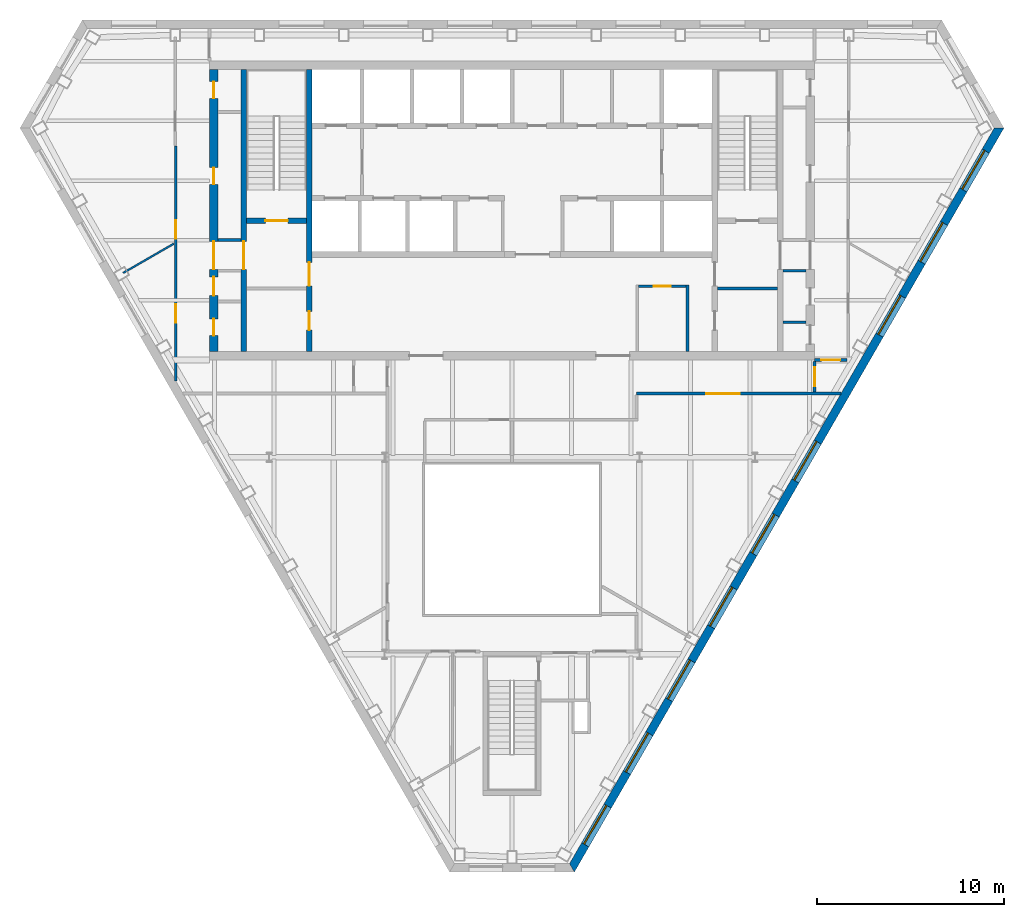
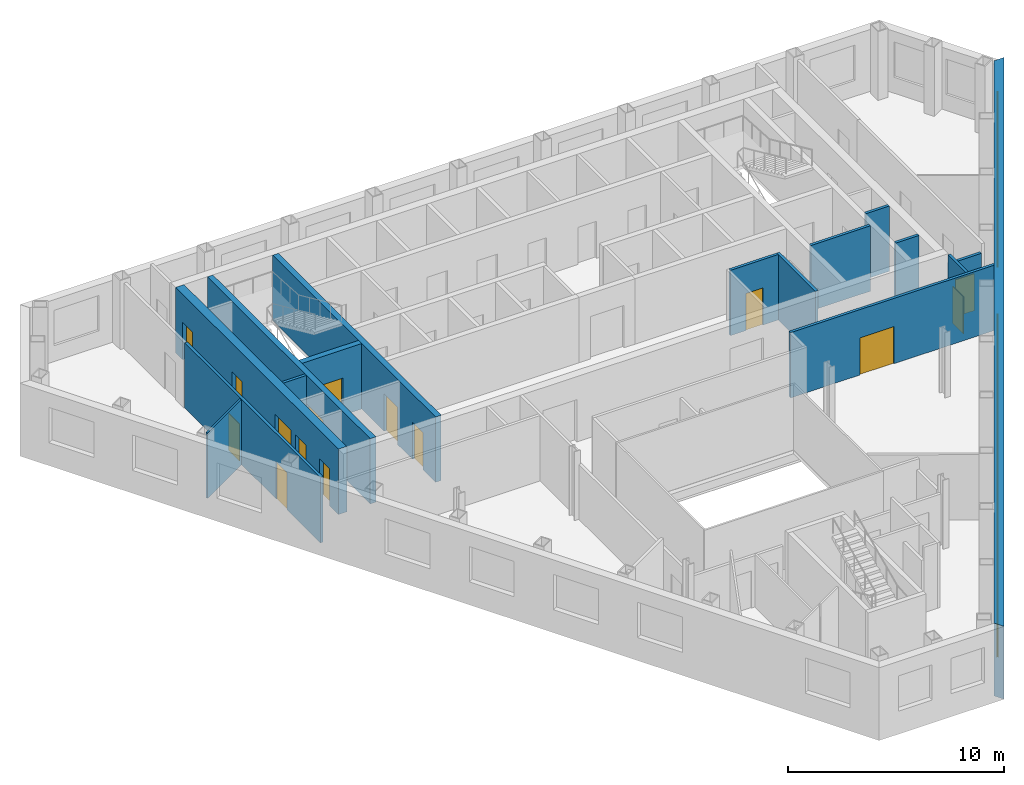
# One storey, part 5 of 10: 16 walls, 15 doors, 9 windows, 24 openings.
"""IFC4 building model written with IfcOpenShell, lengths in metres."""

from ifc_helpers import new_model, si_unit, direction, frame, frame_2d, origin, place, context, subcontext, project, spatial, polyline, rectangle, outline, extrude, material, layer, layer_set, type_object, element, fill, save


model = new_model("IFC4")

# Units and contexts
model_context = context("Model", 3, precision=1e-05, world=origin(), true_north=direction((0.0, 1.0)))
body_context = subcontext(model_context, "Body", "Model", "MODEL_VIEW")
ifc_project = project(units=[si_unit("LENGTHUNIT", "METRE"), si_unit("AREAUNIT", "SQUARE_METRE"), si_unit("VOLUMEUNIT", "CUBIC_METRE"), si_unit("PLANEANGLEUNIT", "RADIAN"), si_unit("MASSUNIT", "GRAM", prefix="KILO")], contexts=[model_context])

# Site, building, storey
site_placement = place(None, origin())
site = spatial("IfcSite", under=ifc_project, at=site_placement, CompositionType="ELEMENT")
building_placement = place(site_placement, origin())
building = spatial("IfcBuilding", under=site, at=building_placement, Name="Njiva Tower", CompositionType="ELEMENT")
storey_placement = place(building_placement, frame((0.0, 0.0, 235.5)))
storey = spatial("IfcBuildingStorey", under=building, at=storey_placement, Name="L53", CompositionType="ELEMENT", Elevation=235.5)

# Walls
ifc_material_1 = material(Name="Blockwork", Category="masonry")
ifc_layer_1 = layer(ifc_material_1, 0.15)
ifc_layer_set_1 = layer_set([ifc_layer_1], Name="Blockwork")
wall_type_1 = type_object("IfcWallType", Name="WT1 Compartment partition 150", PredefinedType="PARTITIONING", material=ifc_layer_set_1)
wall_1_placement = place(storey_placement, frame((11.0, 5.825, 0.0), z_axis=(0.0, 0.0, 1.0), x_axis=(1.0, 0.0, 0.0)))
element("IfcWall", 1, at=wall_1_placement, inside=storey, type_object=wall_type_1, Name="Room wall B", PredefinedType="PARTITIONING", context=body_context, shape_type="SweptSolid", body=[
    extrude(rectangle(XDim=3.2, YDim=0.15, at=frame_2d((1.6, 0.0))), origin(), (0.0, 0.0, 1.0), 3.7),
])
wall_2_placement = place(storey_placement, frame((14.5, 4.025, 0.0), z_axis=(0.0, 0.0, 1.0), x_axis=(1.0, 0.0, 0.0)))
element("IfcWall", 2, at=wall_2_placement, inside=storey, type_object=wall_type_1, Name="Partition strip E00", PredefinedType="PARTITIONING", context=body_context, shape_type="SweptSolid", body=[
    extrude(rectangle(XDim=1.25, YDim=0.15, at=frame_2d((0.625, 0.0))), origin(), (0.0, 0.0, 1.0), 3.7),
])
wall_3_placement = place(storey_placement, frame((9.4, 2.45, 0.0), z_axis=(0.0, 0.0, 1.0), x_axis=(0.0, 1.0, 0.0)))
element("IfcWall", 3, at=wall_3_placement, inside=storey, type_object=wall_type_1, Name="Security office wall east", PredefinedType="PARTITIONING", context=body_context, shape_type="SweptSolid", body=[
    extrude(rectangle(XDim=3.575, YDim=0.15, at=frame_2d((1.7875, 0.0))), origin(), (0.0, 0.0, 1.0), 3.7),
])

# Wall, opening, door
wall_4_placement = place(storey_placement, frame((6.775, 5.95, 0.0), z_axis=(0.0, 0.0, 1.0), x_axis=(1.0, 0.0, 0.0)))
wall_4 = element("IfcWall", 4, at=wall_4_placement, inside=storey, type_object=wall_type_1, Name="Security office wall north", PredefinedType="PARTITIONING", context=body_context, shape_type="SweptSolid", body=[
    extrude(rectangle(XDim=2.55, YDim=0.15, at=frame_2d((1.275, 0.0))), origin(), (0.0, 0.0, 1.0), 3.7),
])
opening_1_placement = place(wall_4_placement, frame((0.825, 0.0, 0.0)))
opening_1 = element("IfcOpeningElement", 5, at=opening_1_placement, cuts=wall_4, Name="Opening S17-D934", PredefinedType="OPENING", context=body_context, shape_type="SweptSolid", body=[
    extrude(rectangle(XDim=0.9, YDim=2.1, at=frame_2d((0.45, 1.05))), frame((0.0, 0.085, 0.0), z_axis=(0.0, -1.0, 0.0), x_axis=(1.0, 0.0, 0.0)), (0.0, 0.0, 1.0), 0.17),
])
ifc_material_2 = material(Name="Steel fire door, painted", Category="steel")
door_type_1 = type_object("IfcDoorType", Name="D6 Fire-rated door 900x2100", OperationType="SINGLE_SWING_LEFT", PredefinedType="DOOR", material=ifc_material_2)
door_1_placement = place(opening_1_placement, origin())
door_1 = element("IfcDoor", 6, at=door_1_placement, inside=storey, type_object=door_type_1, Name="Security office door", OperationType="SINGLE_SWING_RIGHT", OverallHeight=2.1, OverallWidth=0.9, PredefinedType="DOOR", context=body_context, shape_type="SweptSolid", body=[
    extrude(rectangle(XDim=0.9, YDim=2.1, at=frame_2d((0.45, 1.05))), frame((0.0, 0.025, 0.0), z_axis=(0.0, -1.0, 0.0), x_axis=(1.0, 0.0, 0.0)), (0.0, 0.0, 1.0), 0.05),
])
fill(opening_1, door_1)

# Wall, openings, doors
ifc_material_3 = material(Name="Concrete C40/50", Category="concrete")
ifc_layer_2 = layer(ifc_material_3, 0.3)
ifc_layer_set_2 = layer_set([ifc_layer_2], Name="Concrete C40/50")
wall_type_2 = type_object("IfcWallType", Name="WT10 Stair enclosure wall 300", PredefinedType="SHEAR", material=ifc_layer_set_2)
wall_5_placement = place(storey_placement, frame((-10.85, 2.45, 0.0), z_axis=(0.0, 0.0, 1.0), x_axis=(0.0, 1.0, 0.0)))
wall_5 = element("IfcWall", 7, at=wall_5_placement, inside=storey, type_object=wall_type_2, Name="Stair wall west inner", PredefinedType="SHEAR", context=body_context, shape_type="SweptSolid", body=[
    extrude(rectangle(XDim=15.1, YDim=0.3, at=frame_2d((7.55, 0.0))), origin(), (0.0, 0.0, 1.0), 3.7),
])
opening_2_placement = place(wall_5_placement, frame((3.525, 0.0, 0.0)))
opening_2 = element("IfcOpeningElement", 8, at=opening_2_placement, cuts=wall_5, Name="Opening S17-D916", PredefinedType="OPENING", context=body_context, shape_type="SweptSolid", body=[
    extrude(rectangle(XDim=1.25, YDim=2.1, at=frame_2d((0.625, 1.05))), frame((0.0, 0.16, 0.0), z_axis=(0.0, -1.0, 0.0), x_axis=(1.0, 0.0, 0.0)), (0.0, 0.0, 1.0), 0.32),
])
opening_3_placement = place(wall_5_placement, frame((1.15, 0.0, 0.0)))
opening_3 = element("IfcOpeningElement", 9, at=opening_3_placement, cuts=wall_5, Name="Opening S17-D917", PredefinedType="OPENING", context=body_context, shape_type="SweptSolid", body=[
    extrude(rectangle(XDim=1.0, YDim=2.1, at=frame_2d((0.5, 1.05))), frame((0.0, 0.16, 0.0), z_axis=(0.0, -1.0, 0.0), x_axis=(1.0, 0.0, 0.0)), (0.0, 0.0, 1.0), 0.32),
])
ifc_material_4 = material(Name="Steel door, painted", Category="steel")
door_type_2 = type_object("IfcDoorType", Name="D5 Steel door 1000x2100", OperationType="SINGLE_SWING_LEFT", PredefinedType="DOOR", material=ifc_material_4)
door_2_placement = place(opening_3_placement, origin())
door_2 = element("IfcDoor", 10, at=door_2_placement, inside=storey, type_object=door_type_2, Name="Business centre door", OperationType="SINGLE_SWING_RIGHT", OverallHeight=2.1, OverallWidth=1.0, PredefinedType="DOOR", context=body_context, shape_type="SweptSolid", body=[
    extrude(rectangle(XDim=1.0, YDim=2.1, at=frame_2d((0.5, 1.05))), frame((0.0, 0.025, 0.0), z_axis=(0.0, -1.0, 0.0), x_axis=(1.0, 0.0, 0.0)), (0.0, 0.0, 1.0), 0.05),
])
fill(opening_3, door_2)
ifc_material_5 = material(Name="Glazed steel fire door", Category="steel")
door_type_3 = type_object("IfcDoorType", Name="D8 Vestibule corridor door 1250x2100 glazed", OperationType="SINGLE_SWING_LEFT", PredefinedType="DOOR", material=ifc_material_5)
door_3_placement = place(opening_2_placement, origin())
door_3 = element("IfcDoor", 11, at=door_3_placement, inside=storey, type_object=door_type_3, Name="Stair vestibule corridor door", OperationType="SINGLE_SWING_LEFT", OverallHeight=2.1, OverallWidth=1.25, PredefinedType="DOOR", context=body_context, shape_type="SweptSolid", body=[
    extrude(rectangle(XDim=1.25, YDim=2.1, at=frame_2d((0.625, 1.05))), frame((0.0, 0.025, 0.0), z_axis=(0.0, -1.0, 0.0), x_axis=(1.0, 0.0, 0.0)), (0.0, 0.0, 1.0), 0.05),
])
fill(opening_2, door_3)

# Wall, opening, door
wall_6_placement = place(storey_placement, frame((-14.35, 2.45, 0.0), z_axis=(0.0, 0.0, 1.0), x_axis=(0.0, 1.0, 0.0)))
wall_6 = element("IfcWall", 12, at=wall_6_placement, inside=storey, type_object=wall_type_2, Name="Stair wall west outer", PredefinedType="SHEAR", context=body_context, shape_type="SweptSolid", body=[
    extrude(rectangle(XDim=15.1, YDim=0.3, at=frame_2d((7.55, 0.0))), origin(), (0.0, 0.0, 1.0), 3.7),
])
opening_4_placement = place(wall_6_placement, frame((4.4, 0.0, 0.0)))
opening_4 = element("IfcOpeningElement", 13, at=opening_4_placement, cuts=wall_6, Name="Opening S17-D922", PredefinedType="OPENING", context=body_context, shape_type="SweptSolid", body=[
    extrude(rectangle(XDim=1.5, YDim=2.1, at=frame_2d((0.75, 1.05))), frame((0.0, 0.16, 0.0), z_axis=(0.0, -1.0, 0.0), x_axis=(1.0, 0.0, 0.0)), (0.0, 0.0, 1.0), 0.32),
])
door_type_4 = type_object("IfcDoorType", Name="D10 Exit door double 1500x2100 glazed", OperationType="DOUBLE_DOOR_SINGLE_SWING", PredefinedType="DOOR", material=ifc_material_5)
door_4_placement = place(opening_4_placement, origin())
door_4 = element("IfcDoor", 14, at=door_4_placement, inside=storey, type_object=door_type_4, Name="Stair A passage door", OperationType="DOUBLE_DOOR_SINGLE_SWING", OverallHeight=2.1, OverallWidth=1.5, PredefinedType="DOOR", context=body_context, shape_type="SweptSolid", body=[
    extrude(rectangle(XDim=1.5, YDim=2.1, at=frame_2d((0.75, 1.05))), frame((0.0, 0.025, 0.0), z_axis=(0.0, -1.0, 0.0), x_axis=(1.0, 0.0, 0.0)), (0.0, 0.0, 1.0), 0.05),
])
fill(opening_4, door_4)

wall_7_placement = place(storey_placement, frame((-14.2, 9.45, 0.0), z_axis=(0.0, 0.0, 1.0), x_axis=(1.0, 0.0, 0.0)))
wall_7 = element("IfcWall", 15, at=wall_7_placement, inside=storey, type_object=wall_type_2, Name="Stair A south wall", PredefinedType="SHEAR", context=body_context, shape_type="SweptSolid", body=[
    extrude(rectangle(XDim=3.2, YDim=0.3, at=frame_2d((1.6, 0.0))), origin(), (0.0, 0.0, 1.0), 3.7),
])
opening_5_placement = place(wall_7_placement, frame((1.0, 0.0, 0.0)))
opening_5 = element("IfcOpeningElement", 16, at=opening_5_placement, cuts=wall_7, Name="Opening S17-D915", PredefinedType="OPENING", context=body_context, shape_type="SweptSolid", body=[
    extrude(rectangle(XDim=1.2, YDim=2.1, at=frame_2d((0.6, 1.05))), frame((0.0, 0.16, 0.0), z_axis=(0.0, -1.0, 0.0), x_axis=(1.0, 0.0, 0.0)), (0.0, 0.0, 1.0), 0.32),
])
door_type_5 = type_object("IfcDoorType", Name="D7 Stair vestibule door 1200x2100 glazed", OperationType="SINGLE_SWING_LEFT", PredefinedType="DOOR", material=ifc_material_5)
door_5_placement = place(opening_5_placement, origin())
door_5 = element("IfcDoor", 17, at=door_5_placement, inside=storey, type_object=door_type_5, Name="Stair A door", OperationType="SINGLE_SWING_LEFT", OverallHeight=2.1, OverallWidth=1.2, PredefinedType="DOOR", context=body_context, shape_type="SweptSolid", body=[
    extrude(rectangle(XDim=1.2, YDim=2.1, at=frame_2d((0.6, 1.05))), frame((0.0, 0.025, 0.0), z_axis=(0.0, -1.0, 0.0), x_axis=(1.0, 0.0, 0.0)), (0.0, 0.0, 1.0), 0.05),
])
fill(opening_5, door_5)

# Wall, openings, doors
ifc_material_6 = material(Name="Concrete C60/75", Category="concrete")
ifc_layer_3 = layer(ifc_material_6, 0.45)
ifc_layer_set_3 = layer_set([ifc_layer_3], Name="Concrete C60/75")
wall_type_3 = type_object("IfcWallType", Name="WT12 Core wall 450", PredefinedType="SHEAR", material=ifc_layer_set_3)
wall_8_placement = place(storey_placement, frame((-15.975, 2.45, 0.0), z_axis=(0.0, 0.0, 1.0), x_axis=(0.0, 1.0, 0.0)))
wall_8 = element("IfcWall", 18, at=wall_8_placement, inside=storey, type_object=wall_type_3, Name="Core wall west", PredefinedType="SHEAR", context=body_context, shape_type="SweptSolid", body=[
    extrude(rectangle(XDim=15.1, YDim=0.45, at=frame_2d((7.55, 0.0))), origin(), (0.0, 0.0, 1.0), 3.7),
])
opening_6_placement = place(wall_8_placement, frame((4.4, 0.0, 0.0)))
opening_6 = element("IfcOpeningElement", 19, at=opening_6_placement, cuts=wall_8, Name="Opening S17-D923", PredefinedType="OPENING", context=body_context, shape_type="SweptSolid", body=[
    extrude(rectangle(XDim=1.5, YDim=2.1, at=frame_2d((0.75, 1.05))), frame((0.0, 0.235, 0.0), z_axis=(0.0, -1.0, 0.0), x_axis=(1.0, 0.0, 0.0)), (0.0, 0.0, 1.0), 0.47),
])
opening_7_placement = place(wall_8_placement, frame((0.85, 0.0, 0.0)))
opening_7 = element("IfcOpeningElement", 20, at=opening_7_placement, cuts=wall_8, Name="Opening S17-D924", PredefinedType="OPENING", context=body_context, shape_type="SweptSolid", body=[
    extrude(rectangle(XDim=0.9, YDim=2.1, at=frame_2d((0.45, 1.05))), frame((0.0, 0.235, 0.0), z_axis=(0.0, -1.0, 0.0), x_axis=(1.0, 0.0, 0.0)), (0.0, 0.0, 1.0), 0.47),
])
opening_8_placement = place(wall_8_placement, frame((3.0, 0.0, 0.0)))
opening_8 = element("IfcOpeningElement", 21, at=opening_8_placement, cuts=wall_8, Name="Opening S17-D925", PredefinedType="OPENING", context=body_context, shape_type="SweptSolid", body=[
    extrude(rectangle(XDim=1.0, YDim=2.1, at=frame_2d((0.5, 1.05))), frame((0.0, 0.235, 0.0), z_axis=(0.0, -1.0, 0.0), x_axis=(1.0, 0.0, 0.0)), (0.0, 0.0, 1.0), 0.47),
])
opening_9_placement = place(wall_8_placement, frame((8.9511, 0.0, 0.0)))
opening_9 = element("IfcOpeningElement", 22, at=opening_9_placement, cuts=wall_8, Name="Opening S17-D926", PredefinedType="OPENING", context=body_context, shape_type="SweptSolid", body=[
    extrude(rectangle(XDim=0.9, YDim=2.1, at=frame_2d((0.45, 1.05))), frame((0.0, 0.235, 0.0), z_axis=(0.0, -1.0, 0.0), x_axis=(1.0, 0.0, 0.0)), (0.0, 0.0, 1.0), 0.47),
])
opening_10_placement = place(wall_8_placement, frame((13.5511, 0.0, 0.0)))
opening_10 = element("IfcOpeningElement", 23, at=opening_10_placement, cuts=wall_8, Name="Opening S17-D927", PredefinedType="OPENING", context=body_context, shape_type="SweptSolid", body=[
    extrude(rectangle(XDim=0.9, YDim=2.1, at=frame_2d((0.45, 1.05))), frame((0.0, 0.235, 0.0), z_axis=(0.0, -1.0, 0.0), x_axis=(1.0, 0.0, 0.0)), (0.0, 0.0, 1.0), 0.47),
])
door_6_placement = place(opening_6_placement, origin())
door_6 = element("IfcDoor", 24, at=door_6_placement, inside=storey, type_object=door_type_4, Name="Stair A corridor door", OperationType="DOUBLE_DOOR_SINGLE_SWING", OverallHeight=2.1, OverallWidth=1.5, PredefinedType="DOOR", context=body_context, shape_type="SweptSolid", body=[
    extrude(rectangle(XDim=1.5, YDim=2.1, at=frame_2d((0.75, 1.05))), frame((0.0, 0.025, 0.0), z_axis=(0.0, -1.0, 0.0), x_axis=(1.0, 0.0, 0.0)), (0.0, 0.0, 1.0), 0.05),
])
fill(opening_6, door_6)
door_type_6 = type_object("IfcDoorType", Name="D4 Riser door 900x2100", OperationType="SINGLE_SWING_LEFT", PredefinedType="DOOR", material=ifc_material_4)
door_7_placement = place(opening_10_placement, origin())
door_7 = element("IfcDoor", 25, at=door_7_placement, inside=storey, type_object=door_type_6, Name="Cable riser door", OperationType="SINGLE_SWING_LEFT", OverallHeight=2.1, OverallWidth=0.9, PredefinedType="DOOR", context=body_context, shape_type="SweptSolid", body=[
    extrude(rectangle(XDim=0.9, YDim=2.1, at=frame_2d((0.45, 1.05))), frame((0.0, 0.025, 0.0), z_axis=(0.0, -1.0, 0.0), x_axis=(1.0, 0.0, 0.0)), (0.0, 0.0, 1.0), 0.05),
])
fill(opening_10, door_7)
door_8_placement = place(opening_8_placement, origin())
door_8 = element("IfcDoor", 26, at=door_8_placement, inside=storey, type_object=door_type_2, Name="Electrical room door", OperationType="SINGLE_SWING_RIGHT", OverallHeight=2.1, OverallWidth=1.0, PredefinedType="DOOR", context=body_context, shape_type="SweptSolid", body=[
    extrude(rectangle(XDim=1.0, YDim=2.1, at=frame_2d((0.5, 1.05))), frame((0.0, 0.025, 0.0), z_axis=(0.0, -1.0, 0.0), x_axis=(1.0, 0.0, 0.0)), (0.0, 0.0, 1.0), 0.05),
])
fill(opening_8, door_8)
door_9_placement = place(opening_7_placement, origin())
door_9 = element("IfcDoor", 27, at=door_9_placement, inside=storey, type_object=door_type_1, Name="Cable store door", OperationType="SINGLE_SWING_RIGHT", OverallHeight=2.1, OverallWidth=0.9, PredefinedType="DOOR", context=body_context, shape_type="SweptSolid", body=[
    extrude(rectangle(XDim=0.9, YDim=2.1, at=frame_2d((0.45, 1.05))), frame((0.0, 0.025, 0.0), z_axis=(0.0, -1.0, 0.0), x_axis=(1.0, 0.0, 0.0)), (0.0, 0.0, 1.0), 0.05),
])
fill(opening_7, door_9)
door_10_placement = place(opening_9_placement, origin())
door_10 = element("IfcDoor", 28, at=door_10_placement, inside=storey, type_object=door_type_1, Name="Cable store door", OperationType="SINGLE_SWING_LEFT", OverallHeight=2.1, OverallWidth=0.9, PredefinedType="DOOR", context=body_context, shape_type="SweptSolid", body=[
    extrude(rectangle(XDim=0.9, YDim=2.1, at=frame_2d((0.45, 1.05))), frame((0.0, 0.025, 0.0), z_axis=(0.0, -1.0, 0.0), x_axis=(1.0, 0.0, 0.0)), (0.0, 0.0, 1.0), 0.05),
])
fill(opening_9, door_10)

# Wall
ifc_material_7 = material(Name="Gypsum board on steel studs", Category="gypsum")
ifc_layer_4 = layer(ifc_material_7, 0.1)
ifc_layer_set_4 = layer_set([ifc_layer_4], Name="Gypsum board on steel studs")
wall_type_4 = type_object("IfcWallType", Name="WT20 Gypsum partition 100", PredefinedType="PARTITIONING", material=ifc_layer_set_4)
wall_9_placement = place(storey_placement, frame((-20.818, 6.66, 0.0), z_axis=(0.0, 0.0, 1.0), x_axis=(0.866058244174, 0.499943114462, 0.0)))
element("IfcWall", 29, at=wall_9_placement, inside=storey, type_object=wall_type_4, Name="Partition S17-P001", PredefinedType="PARTITIONING", context=body_context, shape_type="SweptSolid", body=[
    extrude(rectangle(XDim=3.1384, YDim=0.1, at=frame_2d((1.5692, 0.0))), origin(), (0.0, 0.0, 1.0), 3.7),
])

# Wall, openings, doors
ifc_layer_5 = layer(ifc_material_7, 0.15)
ifc_layer_set_5 = layer_set([ifc_layer_5], Name="Gypsum board on steel studs")
wall_type_5 = type_object("IfcWallType", Name="WT21 Compartment wall 150", PredefinedType="PARTITIONING", material=ifc_layer_set_5)
wall_10_placement = place(storey_placement, frame((-18.0, 0.879, 0.0), z_axis=(0.0, 0.0, 1.0), x_axis=(0.0, 1.0, 0.0)))
wall_10 = element("IfcWall", 30, at=wall_10_placement, inside=storey, type_object=wall_type_5, Name="Partition S17-P003", PredefinedType="PARTITIONING", context=body_context, shape_type="SweptSolid", body=[
    extrude(rectangle(XDim=12.579, YDim=0.15, at=frame_2d((6.2895, 0.0))), origin(), (0.0, 0.0, 1.0), 3.7),
])
opening_11_placement = place(wall_10_placement, frame((3.103, 0.0, 0.0)))
opening_11 = element("IfcOpeningElement", 31, at=opening_11_placement, cuts=wall_10, Name="Opening S17-D002", PredefinedType="OPENING", context=body_context, shape_type="SweptSolid", body=[
    extrude(rectangle(XDim=1.0, YDim=2.1, at=frame_2d((0.5, 1.05))), frame((0.0, 0.085, 0.0), z_axis=(0.0, -1.0, 0.0), x_axis=(1.0, 0.0, 0.0)), (0.0, 0.0, 1.0), 0.17),
])
opening_12_placement = place(wall_10_placement, frame((7.608, 0.0, 0.0)))
opening_12 = element("IfcOpeningElement", 32, at=opening_12_placement, cuts=wall_10, Name="Opening S17-D003", PredefinedType="OPENING", context=body_context, shape_type="SweptSolid", body=[
    extrude(rectangle(XDim=1.0, YDim=2.1, at=frame_2d((0.5, 1.05))), frame((0.0, 0.085, 0.0), z_axis=(0.0, -1.0, 0.0), x_axis=(1.0, 0.0, 0.0)), (0.0, 0.0, 1.0), 0.17),
])
ifc_material_8 = material(Name="Steel fire door set", Category="steel")
door_type_7 = type_object("IfcDoorType", Name="D37 Fire door 1000x2100", OperationType="SINGLE_SWING_LEFT", PredefinedType="DOOR", material=ifc_material_8)
door_11_placement = place(opening_11_placement, origin())
door_11 = element("IfcDoor", 33, at=door_11_placement, inside=storey, type_object=door_type_7, Name="Door S17-D002", OperationType="SINGLE_SWING_RIGHT", OverallHeight=2.1, OverallWidth=1.0, PredefinedType="DOOR", context=body_context, shape_type="SweptSolid", body=[
    extrude(rectangle(XDim=1.0, YDim=2.1, at=frame_2d((0.5, 1.05))), frame((0.0, 0.025, 0.0), z_axis=(0.0, -1.0, 0.0), x_axis=(1.0, 0.0, 0.0)), (0.0, 0.0, 1.0), 0.05),
])
fill(opening_11, door_11)
door_12_placement = place(opening_12_placement, origin())
door_12 = element("IfcDoor", 34, at=door_12_placement, inside=storey, type_object=door_type_7, Name="Door S17-D003", OperationType="SINGLE_SWING_LEFT", OverallHeight=2.1, OverallWidth=1.0, PredefinedType="DOOR", context=body_context, shape_type="SweptSolid", body=[
    extrude(rectangle(XDim=1.0, YDim=2.1, at=frame_2d((0.5, 1.05))), frame((0.0, 0.025, 0.0), z_axis=(0.0, -1.0, 0.0), x_axis=(1.0, 0.0, 0.0)), (0.0, 0.0, 1.0), 0.05),
])
fill(opening_12, door_12)

# Wall, opening, door
wall_11_placement = place(storey_placement, frame((6.67, 0.2, 0.0), z_axis=(0.0, 0.0, 1.0), x_axis=(1.0, 0.0, 0.0)))
wall_11 = element("IfcWall", 35, at=wall_11_placement, inside=storey, type_object=wall_type_5, Name="Partition S17-P022", PredefinedType="PARTITIONING", context=body_context, shape_type="SweptSolid", body=[
    extrude(rectangle(XDim=10.938, YDim=0.15, at=frame_2d((5.469, 0.0))), origin(), (0.0, 0.0, 1.0), 3.7),
])
opening_13_placement = place(wall_11_placement, frame((3.721, 0.0, 0.0)))
opening_13 = element("IfcOpeningElement", 36, at=opening_13_placement, cuts=wall_11, Name="Opening S17-D013", PredefinedType="OPENING", context=body_context, shape_type="SweptSolid", body=[
    extrude(rectangle(XDim=1.8, YDim=2.1, at=frame_2d((0.9, 1.05))), frame((0.0, 0.085, 0.0), z_axis=(0.0, -1.0, 0.0), x_axis=(1.0, 0.0, 0.0)), (0.0, 0.0, 1.0), 0.17),
])
door_type_8 = type_object("IfcDoorType", Name="D38 Fire door 1800x2100", OperationType="DOUBLE_DOOR_SINGLE_SWING", PredefinedType="DOOR", material=ifc_material_8)
door_13_placement = place(opening_13_placement, origin())
door_13 = element("IfcDoor", 37, at=door_13_placement, inside=storey, type_object=door_type_8, Name="Door S17-D013", OperationType="DOUBLE_DOOR_SINGLE_SWING", OverallHeight=2.1, OverallWidth=1.8, PredefinedType="DOOR", context=body_context, shape_type="SweptSolid", body=[
    extrude(rectangle(XDim=1.8, YDim=2.1, at=frame_2d((0.9, 1.05))), frame((0.0, 0.025, 0.0), z_axis=(0.0, -1.0, 0.0), x_axis=(1.0, 0.0, 0.0)), (0.0, 0.0, 1.0), 0.05),
])
fill(opening_13, door_13)

wall_12_placement = place(storey_placement, frame((16.2, 0.275, 0.0), z_axis=(0.0, 0.0, 1.0), x_axis=(0.0, 1.0, 0.0)))
wall_12 = element("IfcWall", 38, at=wall_12_placement, inside=storey, type_object=wall_type_5, Name="Partition S17-P023", PredefinedType="PARTITIONING", context=body_context, shape_type="SweptSolid", body=[
    extrude(rectangle(XDim=1.65, YDim=0.15, at=frame_2d((0.825, 0.0))), origin(), (0.0, 0.0, 1.0), 3.7),
])
opening_14_placement = place(wall_12_placement, frame((0.325, 0.0, 0.0)))
opening_14 = element("IfcOpeningElement", 39, at=opening_14_placement, cuts=wall_12, Name="Opening S17-D014", PredefinedType="OPENING", context=body_context, shape_type="SweptSolid", body=[
    extrude(rectangle(XDim=1.0, YDim=2.1, at=frame_2d((0.5, 1.05))), frame((0.0, 0.085, 0.0), z_axis=(0.0, -1.0, 0.0), x_axis=(1.0, 0.0, 0.0)), (0.0, 0.0, 1.0), 0.17),
])
door_14_placement = place(opening_14_placement, origin())
door_14 = element("IfcDoor", 40, at=door_14_placement, inside=storey, type_object=door_type_7, Name="Door S17-D014", OperationType="SINGLE_SWING_LEFT", OverallHeight=2.1, OverallWidth=1.0, PredefinedType="DOOR", context=body_context, shape_type="SweptSolid", body=[
    extrude(rectangle(XDim=1.0, YDim=2.1, at=frame_2d((0.5, 1.05))), frame((0.0, 0.025, 0.0), z_axis=(0.0, -1.0, 0.0), x_axis=(1.0, 0.0, 0.0)), (0.0, 0.0, 1.0), 0.05),
])
fill(opening_14, door_14)

wall_13_placement = place(storey_placement, frame((16.2, 2.0, 0.0), z_axis=(0.0, 0.0, 1.0), x_axis=(1.0, 0.0, 0.0)))
wall_13 = element("IfcWall", 41, at=wall_13_placement, inside=storey, type_object=wall_type_5, Name="Partition S17-P024", PredefinedType="PARTITIONING", context=body_context, shape_type="SweptSolid", body=[
    extrude(rectangle(XDim=1.725, YDim=0.15, at=frame_2d((0.8625, 0.0))), origin(), (0.0, 0.0, 1.0), 3.16),
])
opening_15_placement = place(wall_13_placement, frame((0.363, 0.0, 0.0)))
opening_15 = element("IfcOpeningElement", 42, at=opening_15_placement, cuts=wall_13, Name="Opening S17-D015", PredefinedType="OPENING", context=body_context, shape_type="SweptSolid", body=[
    extrude(rectangle(XDim=1.0, YDim=2.1, at=frame_2d((0.5, 1.05))), frame((0.0, 0.085, 0.0), z_axis=(0.0, -1.0, 0.0), x_axis=(1.0, 0.0, 0.0)), (0.0, 0.0, 1.0), 0.17),
])
door_15_placement = place(opening_15_placement, origin())
door_15 = element("IfcDoor", 43, at=door_15_placement, inside=storey, type_object=door_type_7, Name="Door S17-D015", OperationType="SINGLE_SWING_LEFT", OverallHeight=2.1, OverallWidth=1.0, PredefinedType="DOOR", context=body_context, shape_type="SweptSolid", body=[
    extrude(rectangle(XDim=1.0, YDim=2.1, at=frame_2d((0.5, 1.05))), frame((0.0, 0.025, 0.0), z_axis=(0.0, -1.0, 0.0), x_axis=(1.0, 0.0, 0.0)), (0.0, 0.0, 1.0), 0.05),
])
fill(opening_15, door_15)

# Walls
ifc_layer_6 = layer(ifc_material_1, 0.15)
ifc_layer_set_6 = layer_set([ifc_layer_6], Name="Blockwork")
wall_type_6 = type_object("IfcWallType", Name="WT4 Stair partition 150", PredefinedType="PARTITIONING", material=ifc_layer_set_6)
for number, where, z_axis, x_axis, name in (
    (44, (-15.75, 8.425, 0.0), (0.0, 0.0, 1.0), (1.0, 0.0, 0.0), "Stair A exit passage wall north"),
    (45, (14.5, 6.775, 0.0), (0.0, 0.0, 1.0), (1.0, 0.0, 0.0), "Stair B exit passage wall south"),
):
    element("IfcWall", number, at=place(storey_placement, frame(where, z_axis=z_axis, x_axis=x_axis)), inside=storey, type_object=wall_type_6, Name=name, PredefinedType="PARTITIONING", context=body_context, shape_type="SweptSolid", body=[
        extrude(rectangle(XDim=1.25, YDim=0.15, at=frame_2d((0.625, 0.0))), origin(), (0.0, 0.0, 1.0), 3.7),
    ])

# Wall, openings, windows
ifc_material_9 = material(Name="Brick masonry", Category="masonry")
ifc_layer_7 = layer(ifc_material_9, 0.45)
ifc_layer_set_7 = layer_set([ifc_layer_7], Name="Brick masonry")
wall_type_7 = type_object("IfcWallType", Name="WT90 Brick pier and spandrel wall 450", PredefinedType="SOLIDWALL", material=ifc_layer_set_7)
wall_14_placement = place(storey_placement, frame((3.2101, -25.1886, -0.4), z_axis=(0.0, 0.0, 1.0), x_axis=(0.499999194392, 0.866025868902, 0.0)))
wall_14 = element("IfcWall", 46, at=wall_14_placement, inside=storey, type_object=wall_type_7, Name="Facade wall SE", PredefinedType="SOLIDWALL", context=body_context, shape_type="SweptSolid", body=[
    extrude(outline(polyline([(-0.1299, -0.225), (45.8602, -0.225), (45.6004, 0.225), (0.1299, 0.225), (-0.1299, -0.225)])), origin(), (0.0, 0.0, 1.0), 4.12),
])
opening_16_placement = place(wall_14_placement, frame((1.4237, 0.0, 1.3)))
opening_16 = element("IfcOpeningElement", 47, at=opening_16_placement, cuts=wall_14, Name="Opening S17-W21", PredefinedType="OPENING", context=body_context, shape_type="SweptSolid", body=[
    extrude(rectangle(XDim=2.4, YDim=2.0, at=frame_2d((1.2, 1.0))), frame((0.0, 0.235, 0.0), z_axis=(0.0, -1.0, 0.0), x_axis=(1.0, 0.0, 0.0)), (0.0, 0.0, 1.0), 0.47),
])
opening_17_placement = place(wall_14_placement, frame((5.8919, 0.0, 1.3)))
opening_17 = element("IfcOpeningElement", 48, at=opening_17_placement, cuts=wall_14, Name="Opening S17-W22", PredefinedType="OPENING", context=body_context, shape_type="SweptSolid", body=[
    extrude(rectangle(XDim=2.4, YDim=2.0, at=frame_2d((1.2, 1.0))), frame((0.0, 0.235, 0.0), z_axis=(0.0, -1.0, 0.0), x_axis=(1.0, 0.0, 0.0)), (0.0, 0.0, 1.0), 0.47),
])
opening_18_placement = place(wall_14_placement, frame((10.3985, 0.0, 1.3)))
opening_18 = element("IfcOpeningElement", 49, at=opening_18_placement, cuts=wall_14, Name="Opening S17-W23", PredefinedType="OPENING", context=body_context, shape_type="SweptSolid", body=[
    extrude(rectangle(XDim=2.4, YDim=2.0, at=frame_2d((1.2, 1.0))), frame((0.0, 0.235, 0.0), z_axis=(0.0, -1.0, 0.0), x_axis=(1.0, 0.0, 0.0)), (0.0, 0.0, 1.0), 0.47),
])
opening_19_placement = place(wall_14_placement, frame((14.9052, 0.0, 1.3)))
opening_19 = element("IfcOpeningElement", 50, at=opening_19_placement, cuts=wall_14, Name="Opening S17-W24", PredefinedType="OPENING", context=body_context, shape_type="SweptSolid", body=[
    extrude(rectangle(XDim=2.4, YDim=2.0, at=frame_2d((1.2, 1.0))), frame((0.0, 0.235, 0.0), z_axis=(0.0, -1.0, 0.0), x_axis=(1.0, 0.0, 0.0)), (0.0, 0.0, 1.0), 0.47),
])
opening_20_placement = place(wall_14_placement, frame((19.4118, 0.0, 1.3)))
opening_20 = element("IfcOpeningElement", 51, at=opening_20_placement, cuts=wall_14, Name="Opening S17-W25", PredefinedType="OPENING", context=body_context, shape_type="SweptSolid", body=[
    extrude(rectangle(XDim=2.4, YDim=2.0, at=frame_2d((1.2, 1.0))), frame((0.0, 0.235, 0.0), z_axis=(0.0, -1.0, 0.0), x_axis=(1.0, 0.0, 0.0)), (0.0, 0.0, 1.0), 0.47),
])
opening_21_placement = place(wall_14_placement, frame((23.9184, 0.0, 1.3)))
opening_21 = element("IfcOpeningElement", 52, at=opening_21_placement, cuts=wall_14, Name="Opening S17-W26", PredefinedType="OPENING", context=body_context, shape_type="SweptSolid", body=[
    extrude(rectangle(XDim=2.4, YDim=2.0, at=frame_2d((1.2, 1.0))), frame((0.0, 0.235, 0.0), z_axis=(0.0, -1.0, 0.0), x_axis=(1.0, 0.0, 0.0)), (0.0, 0.0, 1.0), 0.47),
])
opening_22_placement = place(wall_14_placement, frame((32.9316, 0.0, 1.3)))
opening_22 = element("IfcOpeningElement", 53, at=opening_22_placement, cuts=wall_14, Name="Opening S17-W27", PredefinedType="OPENING", context=body_context, shape_type="SweptSolid", body=[
    extrude(rectangle(XDim=2.4, YDim=2.0, at=frame_2d((1.2, 1.0))), frame((0.0, 0.235, 0.0), z_axis=(0.0, -1.0, 0.0), x_axis=(1.0, 0.0, 0.0)), (0.0, 0.0, 1.0), 0.47),
])
opening_23_placement = place(wall_14_placement, frame((37.4383, 0.0, 1.3)))
opening_23 = element("IfcOpeningElement", 54, at=opening_23_placement, cuts=wall_14, Name="Opening S17-W28", PredefinedType="OPENING", context=body_context, shape_type="SweptSolid", body=[
    extrude(rectangle(XDim=2.4, YDim=2.0, at=frame_2d((1.2, 1.0))), frame((0.0, 0.235, 0.0), z_axis=(0.0, -1.0, 0.0), x_axis=(1.0, 0.0, 0.0)), (0.0, 0.0, 1.0), 0.47),
])
opening_24_placement = place(wall_14_placement, frame((41.9065, 0.0, 1.3)))
opening_24 = element("IfcOpeningElement", 55, at=opening_24_placement, cuts=wall_14, Name="Opening S17-W29", PredefinedType="OPENING", context=body_context, shape_type="SweptSolid", body=[
    extrude(rectangle(XDim=2.4, YDim=2.0, at=frame_2d((1.2, 1.0))), frame((0.0, 0.235, 0.0), z_axis=(0.0, -1.0, 0.0), x_axis=(1.0, 0.0, 0.0)), (0.0, 0.0, 1.0), 0.47),
])
ifc_material_10 = material(Name="Clear glazing in aluminium frame", Category="aluminium")
window_type = type_object("IfcWindowType", Name="W90 Deep-set window 2400x2000", PartitioningType="SINGLE_PANEL", PredefinedType="WINDOW", material=ifc_material_10)
window_1_placement = place(opening_16_placement, origin())
window_1 = element("IfcWindow", 56, at=window_1_placement, inside=storey, type_object=window_type, Name="Window", OverallHeight=2.0, OverallWidth=2.4, PartitioningType="SINGLE_PANEL", PredefinedType="WINDOW", context=body_context, shape_type="SweptSolid", body=[
    extrude(rectangle(XDim=2.4, YDim=2.0, at=frame_2d((1.2, 1.0))), frame((0.0, 0.105, 0.0), z_axis=(0.0, -1.0, 0.0), x_axis=(1.0, 0.0, 0.0)), (0.0, 0.0, 1.0), 0.06),
])
fill(opening_16, window_1)
window_2_placement = place(opening_17_placement, origin())
window_2 = element("IfcWindow", 57, at=window_2_placement, inside=storey, type_object=window_type, Name="Window", OverallHeight=2.0, OverallWidth=2.4, PartitioningType="SINGLE_PANEL", PredefinedType="WINDOW", context=body_context, shape_type="SweptSolid", body=[
    extrude(rectangle(XDim=2.4, YDim=2.0, at=frame_2d((1.2, 1.0))), frame((0.0, 0.105, 0.0), z_axis=(0.0, -1.0, 0.0), x_axis=(1.0, 0.0, 0.0)), (0.0, 0.0, 1.0), 0.06),
])
fill(opening_17, window_2)
window_3_placement = place(opening_18_placement, origin())
window_3 = element("IfcWindow", 58, at=window_3_placement, inside=storey, type_object=window_type, Name="Window", OverallHeight=2.0, OverallWidth=2.4, PartitioningType="SINGLE_PANEL", PredefinedType="WINDOW", context=body_context, shape_type="SweptSolid", body=[
    extrude(rectangle(XDim=2.4, YDim=2.0, at=frame_2d((1.2, 1.0))), frame((0.0, 0.105, 0.0), z_axis=(0.0, -1.0, 0.0), x_axis=(1.0, 0.0, 0.0)), (0.0, 0.0, 1.0), 0.06),
])
fill(opening_18, window_3)
window_4_placement = place(opening_19_placement, origin())
window_4 = element("IfcWindow", 59, at=window_4_placement, inside=storey, type_object=window_type, Name="Window", OverallHeight=2.0, OverallWidth=2.4, PartitioningType="SINGLE_PANEL", PredefinedType="WINDOW", context=body_context, shape_type="SweptSolid", body=[
    extrude(rectangle(XDim=2.4, YDim=2.0, at=frame_2d((1.2, 1.0))), frame((0.0, 0.105, 0.0), z_axis=(0.0, -1.0, 0.0), x_axis=(1.0, 0.0, 0.0)), (0.0, 0.0, 1.0), 0.06),
])
fill(opening_19, window_4)
window_5_placement = place(opening_20_placement, origin())
window_5 = element("IfcWindow", 60, at=window_5_placement, inside=storey, type_object=window_type, Name="Window", OverallHeight=2.0, OverallWidth=2.4, PartitioningType="SINGLE_PANEL", PredefinedType="WINDOW", context=body_context, shape_type="SweptSolid", body=[
    extrude(rectangle(XDim=2.4, YDim=2.0, at=frame_2d((1.2, 1.0))), frame((0.0, 0.105, 0.0), z_axis=(0.0, -1.0, 0.0), x_axis=(1.0, 0.0, 0.0)), (0.0, 0.0, 1.0), 0.06),
])
fill(opening_20, window_5)
window_6_placement = place(opening_21_placement, origin())
window_6 = element("IfcWindow", 61, at=window_6_placement, inside=storey, type_object=window_type, Name="Window", OverallHeight=2.0, OverallWidth=2.4, PartitioningType="SINGLE_PANEL", PredefinedType="WINDOW", context=body_context, shape_type="SweptSolid", body=[
    extrude(rectangle(XDim=2.4, YDim=2.0, at=frame_2d((1.2, 1.0))), frame((0.0, 0.105, 0.0), z_axis=(0.0, -1.0, 0.0), x_axis=(1.0, 0.0, 0.0)), (0.0, 0.0, 1.0), 0.06),
])
fill(opening_21, window_6)
window_7_placement = place(opening_22_placement, origin())
window_7 = element("IfcWindow", 62, at=window_7_placement, inside=storey, type_object=window_type, Name="Window", OverallHeight=2.0, OverallWidth=2.4, PartitioningType="SINGLE_PANEL", PredefinedType="WINDOW", context=body_context, shape_type="SweptSolid", body=[
    extrude(rectangle(XDim=2.4, YDim=2.0, at=frame_2d((1.2, 1.0))), frame((0.0, 0.105, 0.0), z_axis=(0.0, -1.0, 0.0), x_axis=(1.0, 0.0, 0.0)), (0.0, 0.0, 1.0), 0.06),
])
fill(opening_22, window_7)
window_8_placement = place(opening_23_placement, origin())
window_8 = element("IfcWindow", 63, at=window_8_placement, inside=storey, type_object=window_type, Name="Window", OverallHeight=2.0, OverallWidth=2.4, PartitioningType="SINGLE_PANEL", PredefinedType="WINDOW", context=body_context, shape_type="SweptSolid", body=[
    extrude(rectangle(XDim=2.4, YDim=2.0, at=frame_2d((1.2, 1.0))), frame((0.0, 0.105, 0.0), z_axis=(0.0, -1.0, 0.0), x_axis=(1.0, 0.0, 0.0)), (0.0, 0.0, 1.0), 0.06),
])
fill(opening_23, window_8)
window_9_placement = place(opening_24_placement, origin())
window_9 = element("IfcWindow", 64, at=window_9_placement, inside=storey, type_object=window_type, Name="Window", OverallHeight=2.0, OverallWidth=2.4, PartitioningType="SINGLE_PANEL", PredefinedType="WINDOW", context=body_context, shape_type="SweptSolid", body=[
    extrude(rectangle(XDim=2.4, YDim=2.0, at=frame_2d((1.2, 1.0))), frame((0.0, 0.105, 0.0), z_axis=(0.0, -1.0, 0.0), x_axis=(1.0, 0.0, 0.0)), (0.0, 0.0, 1.0), 0.06),
])
fill(opening_24, window_9)

save(model, "model.ifc")
